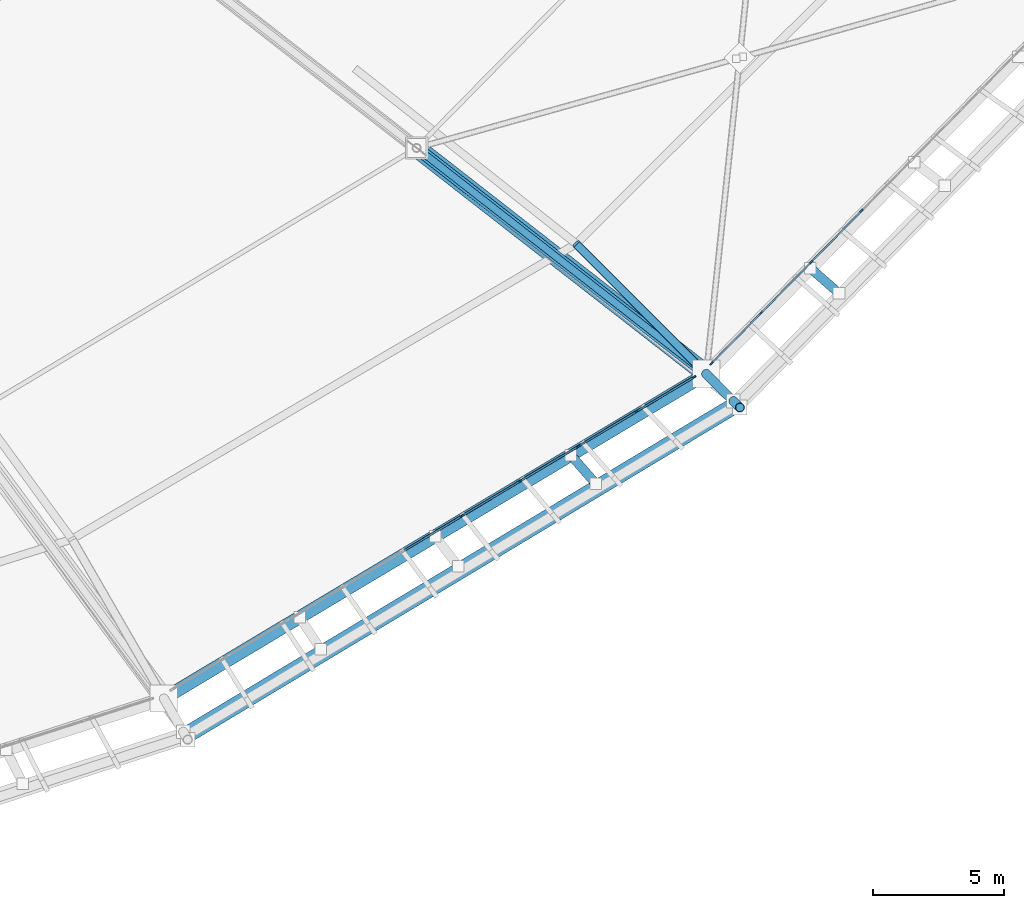
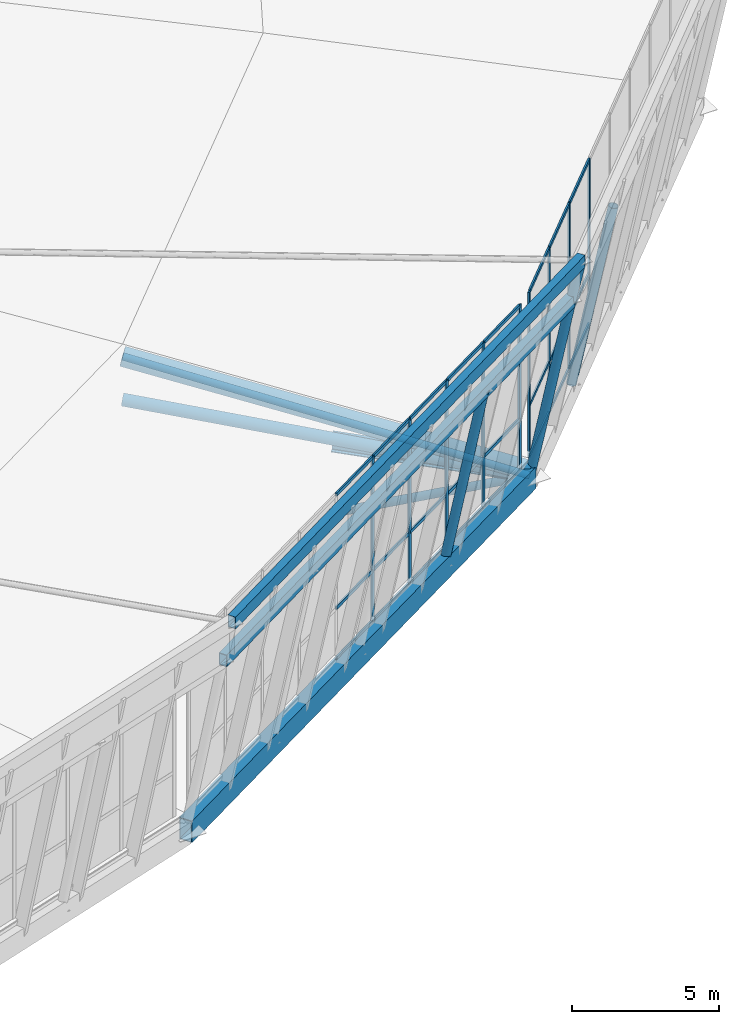
# One storey, part 39 of 115: 41 members, 4 beams, 2 elements without a shape of their own.
"""IFC4 building model written with IfcOpenShell, lengths in metres."""

from ifc_helpers import new_model, si_unit, direction, frame, origin, origin_2d, place, context, subcontext, project, spatial, rectangle, hollow_rectangle, hollow_circle, i_section, extrude, material, material_profile, profile_set, type_object, element, aggregate, save


model = new_model("IFC4")

# Units and contexts
model_context = context("Model", 3, precision=1e-05, world=origin(), true_north=direction((0.0, 1.0)))
body_context = subcontext(model_context, "Body", "Model", "MODEL_VIEW")
ifc_project = project(units=[si_unit("LENGTHUNIT", "METRE"), si_unit("AREAUNIT", "SQUARE_METRE"), si_unit("VOLUMEUNIT", "CUBIC_METRE"), si_unit("PLANEANGLEUNIT", "RADIAN"), si_unit("MASSUNIT", "GRAM", prefix="KILO")], contexts=[model_context])

# Site, building, storey
site_placement = place(None, origin())
site = spatial("IfcSite", under=ifc_project, at=site_placement, CompositionType="ELEMENT")
building_placement = place(site_placement, origin())
building = spatial("IfcBuilding", under=site, at=building_placement, Name="Zlatoyarsky Gate Stadium", CompositionType="ELEMENT")
storey_placement = place(building_placement, frame((0.0, 0.0, 31.800048828125)))
storey = spatial("IfcBuildingStorey", under=building, at=storey_placement, Name="RF", CompositionType="ELEMENT", Elevation=31.800048828125)

# Curtain wall, members
ifc_material_1 = material(Name="Thermally broken anodised aluminium curtain wall", Category="aluminium")
curtain_wall_type = type_object("IfcCurtainWallType", Name="UNITISED SKYBOX RING GLAZING L05", PredefinedType="USERDEFINED", material=ifc_material_1)
curtain_wall_1_placement = place(storey_placement, origin())
curtain_wall_1 = element("IfcCurtainWall", 1, at=curtain_wall_1_placement, inside=storey, type_object=curtain_wall_type, Name="Curtain wall CW-RF-20", ObjectType="UNITISED GLAZING", PredefinedType="USERDEFINED")
ifc_material_2 = material(Name="Anodised aluminium 6063-T6", Category="aluminium")
ifc_material_profile_1 = material_profile(ifc_material_2, rectangle(XDim=0.06494140625, YDim=0.159912109375, at=origin_2d()), Name="ALU 65X160")
ifc_profile_set_1 = profile_set([ifc_material_profile_1], Name="Anodised aluminium 6063-T6")
member_type_1 = type_object("IfcMemberType", Name="ALUMINIUM MULLION 65X160", PredefinedType="MULLION", material=ifc_profile_set_1)
member_1_placement = place(storey_placement, frame((172.398681640625, 19.401123046875, 0.0), z_axis=(0.0, 0.0, 1.0), x_axis=(-0.513435995817, 0.858127891517, 0.0)))
member_1 = element("IfcMember", 2, at=member_1_placement, type_object=member_type_1, Name="CW-UG5 mullion 6", PredefinedType="MULLION", context=body_context, shape_type="SweptSolid", body=[
    extrude(rectangle(XDim=0.06494140625, YDim=0.159912109375, at=origin_2d()), origin(), (0.0, 0.0, 1.0), 6.89990234375),
])
member_2_placement = place(storey_placement, frame((174.620849609375, 20.730712890625, 0.0), z_axis=(0.0, 0.0, 1.0), x_axis=(-0.513435995817, 0.858127891517, 0.0)))
member_2 = element("IfcMember", 3, at=member_2_placement, type_object=member_type_1, Name="CW-UG5 mullion 7", PredefinedType="MULLION", context=body_context, shape_type="SweptSolid", body=[
    extrude(rectangle(XDim=0.06494140625, YDim=0.159912109375, at=origin_2d()), origin(), (0.0, 0.0, 1.0), 6.89990234375),
])
member_3_placement = place(storey_placement, frame((176.84326171875, 22.060302734375, 0.0), z_axis=(0.0, 0.0, 1.0), x_axis=(-0.513435995817, 0.858127891517, 0.0)))
member_3 = element("IfcMember", 4, at=member_3_placement, type_object=member_type_1, Name="CW-UG5 mullion 8", PredefinedType="MULLION", context=body_context, shape_type="SweptSolid", body=[
    extrude(rectangle(XDim=0.06494140625, YDim=0.159912109375, at=origin_2d()), origin(), (0.0, 0.0, 1.0), 6.89990234375),
])
member_4_placement = place(storey_placement, frame((179.065673828125, 23.39013671875, 0.0), z_axis=(0.0, 0.0, 1.0), x_axis=(-0.513435995817, 0.858127891517, 0.0)))
member_4 = element("IfcMember", 5, at=member_4_placement, type_object=member_type_1, Name="CW-UG5 mullion 9", PredefinedType="MULLION", context=body_context, shape_type="SweptSolid", body=[
    extrude(rectangle(XDim=0.06494140625, YDim=0.159912109375, at=origin_2d()), origin(), (0.0, 0.0, 1.0), 6.89990234375),
])
member_5_placement = place(storey_placement, frame((181.260009765625, 24.703125, 0.0), z_axis=(0.0, 0.0, 1.0), x_axis=(-0.513435995817, 0.858127891517, 0.0)))
member_5 = element("IfcMember", 6, at=member_5_placement, type_object=member_type_1, Name="CW-UG5 mullion 10", PredefinedType="MULLION", context=body_context, shape_type="SweptSolid", body=[
    extrude(rectangle(XDim=0.06494140625, YDim=0.159912109375, at=origin_2d()), origin(), (0.0, 0.0, 1.0), 6.89990234375),
])

curtain_wall_2_placement = place(storey_placement, origin())
curtain_wall_2 = element("IfcCurtainWall", 7, at=curtain_wall_2_placement, inside=storey, type_object=curtain_wall_type, Name="Curtain wall CW-RF-21", ObjectType="UNITISED GLAZING", PredefinedType="USERDEFINED")
member_6_placement = place(storey_placement, frame((181.9345703125, 25.2333984375, 0.0), z_axis=(0.0, 0.0, 1.0), x_axis=(-0.712766053473, 0.701401848456, 0.0)))
member_6 = element("IfcMember", 8, at=member_6_placement, type_object=member_type_1, Name="CW-UG5 mullion 1", PredefinedType="MULLION", context=body_context, shape_type="SweptSolid", body=[
    extrude(rectangle(XDim=0.06494140625, YDim=0.159912109375, at=origin_2d()), origin(), (0.0, 0.0, 1.0), 6.89990234375),
])
member_7_placement = place(storey_placement, frame((183.825927734375, 27.1552734375, 0.0), z_axis=(0.0, 0.0, 1.0), x_axis=(-0.712766053473, 0.701401848456, 0.0)))
member_7 = element("IfcMember", 9, at=member_7_placement, type_object=member_type_1, Name="CW-UG5 mullion 2", PredefinedType="MULLION", context=body_context, shape_type="SweptSolid", body=[
    extrude(rectangle(XDim=0.06494140625, YDim=0.159912109375, at=origin_2d()), origin(), (0.0, 0.0, 1.0), 6.89990234375),
])
member_8_placement = place(storey_placement, frame((185.739990234375, 29.100341796875, 0.0), z_axis=(0.0, 0.0, 1.0), x_axis=(-0.712766053473, 0.701401848456, 0.0)))
member_8 = element("IfcMember", 10, at=member_8_placement, type_object=member_type_1, Name="CW-UG5 mullion 3", PredefinedType="MULLION", context=body_context, shape_type="SweptSolid", body=[
    extrude(rectangle(XDim=0.06494140625, YDim=0.159912109375, at=origin_2d()), origin(), (0.0, 0.0, 1.0), 6.89990234375),
])
member_9_placement = place(storey_placement, frame((187.654052734375, 31.045654296875, 0.0), z_axis=(0.0, 0.0, 1.0), x_axis=(-0.712766053473, 0.701401848456, 0.0)))
member_9 = element("IfcMember", 11, at=member_9_placement, type_object=member_type_1, Name="CW-UG5 mullion 4", PredefinedType="MULLION", context=body_context, shape_type="SweptSolid", body=[
    extrude(rectangle(XDim=0.06494140625, YDim=0.159912109375, at=origin_2d()), origin(), (0.0, 0.0, 1.0), 6.89990234375),
])

# Member
ifc_material_profile_2 = material_profile(ifc_material_2, rectangle(XDim=0.06494140625, YDim=0.139892578125, at=origin_2d()), Name="ALU 65X140")
ifc_profile_set_2 = profile_set([ifc_material_profile_2], Name="Anodised aluminium 6063-T6")
member_type_2 = type_object("IfcMemberType", Name="ALUMINIUM TRANSOM 65X140", PredefinedType="USERDEFINED", material=ifc_profile_set_2)
member_10_placement = place(storey_placement, frame((170.204345703125, 18.088134765625, 0.032470703125), z_axis=(0.858149243312, 0.51340030795, 0.0), x_axis=(-0.51340030795, 0.858149243312, 0.0)))
member_10 = element("IfcMember", 12, at=member_10_placement, type_object=member_type_2, Name="CW-UG5 transom 5.1", ObjectType="TRANSOM", PredefinedType="USERDEFINED", context=body_context, shape_type="SweptSolid", body=[
    extrude(rectangle(XDim=0.06494140625, YDim=0.139892578125, at=origin_2d()), origin(), (0.0, 0.0, 1.0), 2.524658203125),
])

member_11_placement = place(storey_placement, frame((170.204345703125, 18.088134765625, 2.14990234375), z_axis=(0.858149243312, 0.51340030795, 0.0), x_axis=(-0.51340030795, 0.858149243312, 0.0)))
member_11 = element("IfcMember", 13, at=member_11_placement, type_object=member_type_2, Name="CW-UG5 transom 5.2", ObjectType="TRANSOM", PredefinedType="USERDEFINED", context=body_context, shape_type="SweptSolid", body=[
    extrude(rectangle(XDim=0.06494140625, YDim=0.139892578125, at=origin_2d()), origin(), (0.0, 0.0, 1.0), 2.524658203125),
])

member_12_placement = place(storey_placement, frame((170.204345703125, 18.088134765625, 6.867431640625), z_axis=(0.858149243312, 0.51340030795, 0.0), x_axis=(-0.51340030795, 0.858149243312, 0.0)))
member_12 = element("IfcMember", 14, at=member_12_placement, type_object=member_type_2, Name="CW-UG5 transom 5.3", ObjectType="TRANSOM", PredefinedType="USERDEFINED", context=body_context, shape_type="SweptSolid", body=[
    extrude(rectangle(XDim=0.06494140625, YDim=0.139892578125, at=origin_2d()), origin(), (0.0, 0.0, 1.0), 2.524658203125),
])

member_13_placement = place(storey_placement, frame((172.426513671875, 19.417724609375, 0.032470703125), z_axis=(0.858106637298, 0.513471517248, 0.0), x_axis=(-0.513471517248, 0.858106637298, 0.0)))
member_13 = element("IfcMember", 15, at=member_13_placement, type_object=member_type_2, Name="CW-UG5 transom 6.1", ObjectType="TRANSOM", PredefinedType="USERDEFINED", context=body_context, shape_type="SweptSolid", body=[
    extrude(rectangle(XDim=0.06494140625, YDim=0.139892578125, at=origin_2d()), origin(), (0.0, 0.0, 1.0), 2.524658203125),
])

member_14_placement = place(storey_placement, frame((172.426513671875, 19.417724609375, 2.14990234375), z_axis=(0.858106637298, 0.513471517248, 0.0), x_axis=(-0.513471517248, 0.858106637298, 0.0)))
member_14 = element("IfcMember", 16, at=member_14_placement, type_object=member_type_2, Name="CW-UG5 transom 6.2", ObjectType="TRANSOM", PredefinedType="USERDEFINED", context=body_context, shape_type="SweptSolid", body=[
    extrude(rectangle(XDim=0.06494140625, YDim=0.139892578125, at=origin_2d()), origin(), (0.0, 0.0, 1.0), 2.524658203125),
])

member_15_placement = place(storey_placement, frame((172.426513671875, 19.417724609375, 6.867431640625), z_axis=(0.858106637298, 0.513471517248, 0.0), x_axis=(-0.513471517248, 0.858106637298, 0.0)))
member_15 = element("IfcMember", 17, at=member_15_placement, type_object=member_type_2, Name="CW-UG5 transom 6.3", ObjectType="TRANSOM", PredefinedType="USERDEFINED", context=body_context, shape_type="SweptSolid", body=[
    extrude(rectangle(XDim=0.06494140625, YDim=0.139892578125, at=origin_2d()), origin(), (0.0, 0.0, 1.0), 2.524658203125),
])

member_16_placement = place(storey_placement, frame((174.64892578125, 20.747314453125, 0.032470703125), z_axis=(0.858106637298, 0.513471517248, 0.0), x_axis=(-0.513471517248, 0.858106637298, 0.0)))
member_16 = element("IfcMember", 18, at=member_16_placement, type_object=member_type_2, Name="CW-UG5 transom 7.1", ObjectType="TRANSOM", PredefinedType="USERDEFINED", context=body_context, shape_type="SweptSolid", body=[
    extrude(rectangle(XDim=0.06494140625, YDim=0.139892578125, at=origin_2d()), origin(), (0.0, 0.0, 1.0), 2.524658203125),
])

member_17_placement = place(storey_placement, frame((174.64892578125, 20.747314453125, 2.14990234375), z_axis=(0.858106637298, 0.513471517248, 0.0), x_axis=(-0.513471517248, 0.858106637298, 0.0)))
member_17 = element("IfcMember", 19, at=member_17_placement, type_object=member_type_2, Name="CW-UG5 transom 7.2", ObjectType="TRANSOM", PredefinedType="USERDEFINED", context=body_context, shape_type="SweptSolid", body=[
    extrude(rectangle(XDim=0.06494140625, YDim=0.139892578125, at=origin_2d()), origin(), (0.0, 0.0, 1.0), 2.524658203125),
])

member_18_placement = place(storey_placement, frame((174.64892578125, 20.747314453125, 6.867431640625), z_axis=(0.858106637298, 0.513471517248, 0.0), x_axis=(-0.513471517248, 0.858106637298, 0.0)))
member_18 = element("IfcMember", 20, at=member_18_placement, type_object=member_type_2, Name="CW-UG5 transom 7.3", ObjectType="TRANSOM", PredefinedType="USERDEFINED", context=body_context, shape_type="SweptSolid", body=[
    extrude(rectangle(XDim=0.06494140625, YDim=0.139892578125, at=origin_2d()), origin(), (0.0, 0.0, 1.0), 2.524658203125),
])

member_19_placement = place(storey_placement, frame((176.87109375, 22.0771484375, 0.032470703125), z_axis=(0.858149243312, 0.51340030795, 0.0), x_axis=(-0.51340030795, 0.858149243312, 0.0)))
member_19 = element("IfcMember", 21, at=member_19_placement, type_object=member_type_2, Name="CW-UG5 transom 8.1", ObjectType="TRANSOM", PredefinedType="USERDEFINED", context=body_context, shape_type="SweptSolid", body=[
    extrude(rectangle(XDim=0.06494140625, YDim=0.139892578125, at=origin_2d()), origin(), (0.0, 0.0, 1.0), 2.524658203125),
])

member_20_placement = place(storey_placement, frame((176.87109375, 22.0771484375, 2.14990234375), z_axis=(0.858149243312, 0.51340030795, 0.0), x_axis=(-0.51340030795, 0.858149243312, 0.0)))
member_20 = element("IfcMember", 22, at=member_20_placement, type_object=member_type_2, Name="CW-UG5 transom 8.2", ObjectType="TRANSOM", PredefinedType="USERDEFINED", context=body_context, shape_type="SweptSolid", body=[
    extrude(rectangle(XDim=0.06494140625, YDim=0.139892578125, at=origin_2d()), origin(), (0.0, 0.0, 1.0), 2.524658203125),
])

member_21_placement = place(storey_placement, frame((176.87109375, 22.0771484375, 6.867431640625), z_axis=(0.858149243312, 0.51340030795, 0.0), x_axis=(-0.51340030795, 0.858149243312, 0.0)))
member_21 = element("IfcMember", 23, at=member_21_placement, type_object=member_type_2, Name="CW-UG5 transom 8.3", ObjectType="TRANSOM", PredefinedType="USERDEFINED", context=body_context, shape_type="SweptSolid", body=[
    extrude(rectangle(XDim=0.06494140625, YDim=0.139892578125, at=origin_2d()), origin(), (0.0, 0.0, 1.0), 2.524658203125),
])

member_22_placement = place(storey_placement, frame((179.093505859375, 23.40673828125, 0.032470703125), z_axis=(0.858140517971, 0.513414892087, 0.0), x_axis=(-0.513414892087, 0.858140517971, 0.0)))
member_22 = element("IfcMember", 24, at=member_22_placement, type_object=member_type_2, Name="CW-UG5 transom 9.1", ObjectType="TRANSOM", PredefinedType="USERDEFINED", context=body_context, shape_type="SweptSolid", body=[
    extrude(rectangle(XDim=0.06494140625, YDim=0.139892578125, at=origin_2d()), origin(), (0.0, 0.0, 1.0), 2.4921875),
])

member_23_placement = place(storey_placement, frame((179.093505859375, 23.40673828125, 2.14990234375), z_axis=(0.858140517971, 0.513414892087, 0.0), x_axis=(-0.513414892087, 0.858140517971, 0.0)))
member_23 = element("IfcMember", 25, at=member_23_placement, type_object=member_type_2, Name="CW-UG5 transom 9.2", ObjectType="TRANSOM", PredefinedType="USERDEFINED", context=body_context, shape_type="SweptSolid", body=[
    extrude(rectangle(XDim=0.06494140625, YDim=0.139892578125, at=origin_2d()), origin(), (0.0, 0.0, 1.0), 2.4921875),
])

member_24_placement = place(storey_placement, frame((179.093505859375, 23.40673828125, 6.867431640625), z_axis=(0.858140517971, 0.513414892087, 0.0), x_axis=(-0.513414892087, 0.858140517971, 0.0)))
member_24 = element("IfcMember", 26, at=member_24_placement, type_object=member_type_2, Name="CW-UG5 transom 9.3", ObjectType="TRANSOM", PredefinedType="USERDEFINED", context=body_context, shape_type="SweptSolid", body=[
    extrude(rectangle(XDim=0.06494140625, YDim=0.139892578125, at=origin_2d()), origin(), (0.0, 0.0, 1.0), 2.4921875),
])

aggregate(curtain_wall_1, [member_1, member_2, member_3, member_4, member_5, member_10, member_11, member_12, member_13, member_14, member_15, member_16, member_17, member_18, member_19, member_20, member_21, member_22, member_23, member_24])

member_25_placement = place(storey_placement, frame((181.957275390625, 25.256591796875, 0.032470703125), z_axis=(0.701471617556, 0.712697390036, 0.0), x_axis=(-0.712697390036, 0.701471617556, 0.0)))
member_25 = element("IfcMember", 27, at=member_25_placement, type_object=member_type_2, Name="CW-UG5 transom 1.1", ObjectType="TRANSOM", PredefinedType="USERDEFINED", context=body_context, shape_type="SweptSolid", body=[
    extrude(rectangle(XDim=0.06494140625, YDim=0.139892578125, at=origin_2d()), origin(), (0.0, 0.0, 1.0), 2.631591796875),
])

member_26_placement = place(storey_placement, frame((181.957275390625, 25.256591796875, 2.14990234375), z_axis=(0.701471617556, 0.712697390036, 0.0), x_axis=(-0.712697390036, 0.701471617556, 0.0)))
member_26 = element("IfcMember", 28, at=member_26_placement, type_object=member_type_2, Name="CW-UG5 transom 1.2", ObjectType="TRANSOM", PredefinedType="USERDEFINED", context=body_context, shape_type="SweptSolid", body=[
    extrude(rectangle(XDim=0.06494140625, YDim=0.139892578125, at=origin_2d()), origin(), (0.0, 0.0, 1.0), 2.631591796875),
])

member_27_placement = place(storey_placement, frame((181.957275390625, 25.256591796875, 6.867431640625), z_axis=(0.701471617556, 0.712697390036, 0.0), x_axis=(-0.712697390036, 0.701471617556, 0.0)))
member_27 = element("IfcMember", 29, at=member_27_placement, type_object=member_type_2, Name="CW-UG5 transom 1.3", ObjectType="TRANSOM", PredefinedType="USERDEFINED", context=body_context, shape_type="SweptSolid", body=[
    extrude(rectangle(XDim=0.06494140625, YDim=0.139892578125, at=origin_2d()), origin(), (0.0, 0.0, 1.0), 2.631591796875),
])

member_28_placement = place(storey_placement, frame((183.8486328125, 27.178466796875, 0.032470703125), z_axis=(0.701448172626, 0.712720464922, 0.0), x_axis=(-0.712720464922, 0.701448172626, 0.0)))
member_28 = element("IfcMember", 30, at=member_28_placement, type_object=member_type_2, Name="CW-UG5 transom 2.1", ObjectType="TRANSOM", PredefinedType="USERDEFINED", context=body_context, shape_type="SweptSolid", body=[
    extrude(rectangle(XDim=0.06494140625, YDim=0.139892578125, at=origin_2d()), origin(), (0.0, 0.0, 1.0), 2.6640625),
])

member_29_placement = place(storey_placement, frame((183.8486328125, 27.178466796875, 2.14990234375), z_axis=(0.701448172626, 0.712720464922, 0.0), x_axis=(-0.712720464922, 0.701448172626, 0.0)))
member_29 = element("IfcMember", 31, at=member_29_placement, type_object=member_type_2, Name="CW-UG5 transom 2.2", ObjectType="TRANSOM", PredefinedType="USERDEFINED", context=body_context, shape_type="SweptSolid", body=[
    extrude(rectangle(XDim=0.06494140625, YDim=0.139892578125, at=origin_2d()), origin(), (0.0, 0.0, 1.0), 2.6640625),
])

member_30_placement = place(storey_placement, frame((183.8486328125, 27.178466796875, 6.867431640625), z_axis=(0.701448172626, 0.712720464922, 0.0), x_axis=(-0.712720464922, 0.701448172626, 0.0)))
member_30 = element("IfcMember", 32, at=member_30_placement, type_object=member_type_2, Name="CW-UG5 transom 2.3", ObjectType="TRANSOM", PredefinedType="USERDEFINED", context=body_context, shape_type="SweptSolid", body=[
    extrude(rectangle(XDim=0.06494140625, YDim=0.139892578125, at=origin_2d()), origin(), (0.0, 0.0, 1.0), 2.6640625),
])

member_31_placement = place(storey_placement, frame((185.7626953125, 29.12353515625, 0.032470703125), z_axis=(0.701402357666, 0.712765552381, 0.0), x_axis=(-0.712765552381, 0.701402357666, 0.0)))
member_31 = element("IfcMember", 33, at=member_31_placement, type_object=member_type_2, Name="CW-UG5 transom 3.1", ObjectType="TRANSOM", PredefinedType="USERDEFINED", context=body_context, shape_type="SweptSolid", body=[
    extrude(rectangle(XDim=0.06494140625, YDim=0.139892578125, at=origin_2d()), origin(), (0.0, 0.0, 1.0), 2.6640625),
])

member_32_placement = place(storey_placement, frame((185.7626953125, 29.12353515625, 2.14990234375), z_axis=(0.701402357666, 0.712765552381, 0.0), x_axis=(-0.712765552381, 0.701402357666, 0.0)))
member_32 = element("IfcMember", 34, at=member_32_placement, type_object=member_type_2, Name="CW-UG5 transom 3.2", ObjectType="TRANSOM", PredefinedType="USERDEFINED", context=body_context, shape_type="SweptSolid", body=[
    extrude(rectangle(XDim=0.06494140625, YDim=0.139892578125, at=origin_2d()), origin(), (0.0, 0.0, 1.0), 2.6640625),
])

member_33_placement = place(storey_placement, frame((185.7626953125, 29.12353515625, 6.867431640625), z_axis=(0.701402357666, 0.712765552381, 0.0), x_axis=(-0.712765552381, 0.701402357666, 0.0)))
member_33 = element("IfcMember", 35, at=member_33_placement, type_object=member_type_2, Name="CW-UG5 transom 3.3", ObjectType="TRANSOM", PredefinedType="USERDEFINED", context=body_context, shape_type="SweptSolid", body=[
    extrude(rectangle(XDim=0.06494140625, YDim=0.139892578125, at=origin_2d()), origin(), (0.0, 0.0, 1.0), 2.6640625),
])

aggregate(curtain_wall_2, [member_6, member_7, member_8, member_9, member_25, member_26, member_27, member_28, member_29, member_30, member_31, member_32, member_33])

# Members
ifc_material_3 = material(Name="Steel S355", Category="steel")
ifc_material_profile_3 = material_profile(ifc_material_3, hollow_circle(Radius=0.228515625, WallThickness=0.02490234375, at=origin_2d()), Name="CHS 457X25")
ifc_profile_set_3 = profile_set([ifc_material_profile_3], Name="Steel S355")
member_type_3 = type_object("IfcMemberType", Name="STEEL ARCH BOTTOM CHORD CHS 457X25", PredefinedType="CHORD", material=ifc_profile_set_3)
member_34_placement = place(storey_placement, frame((181.730224609375, 24.826171875, -0.449951171875), z_axis=(-0.782072913981, 0.610058642375, 0.127241542272), x_axis=(-0.61505798075, -0.788481883315, 0.0)))
element("IfcMember", 36, at=member_34_placement, inside=storey, type_object=member_type_3, Name="Radial truss R22 bottom chord 1", PredefinedType="CHORD", context=body_context, shape_type="SweptSolid", body=[
    extrude(hollow_circle(Radius=0.228515625, WallThickness=0.02490234375, at=origin_2d()), origin(), (0.0, 0.0, 1.0), 14.144775390625),
])
ifc_material_profile_4 = material_profile(ifc_material_3, hollow_circle(Radius=0.35546875, WallThickness=0.031982421875, at=origin_2d()), Name="CHS 711X32")
ifc_profile_set_4 = profile_set([ifc_material_profile_4], Name="Steel S355")
member_type_4 = type_object("IfcMemberType", Name="STEEL ARCH TOP CHORD CHS 711X32", PredefinedType="CHORD", material=ifc_profile_set_4)
member_35_placement = place(storey_placement, frame((181.730224609375, 24.826171875, -0.25), z_axis=(-0.76630202169, 0.597756504086, 0.235517246453), x_axis=(-0.61505798075, -0.788481883315, 0.0)))
element("IfcMember", 37, at=member_35_placement, inside=storey, type_object=member_type_4, Name="Radial truss R22 top chord 1", PredefinedType="CHORD", context=body_context, shape_type="SweptSolid", body=[
    extrude(hollow_circle(Radius=0.35546875, WallThickness=0.031982421875, at=origin_2d()), origin(), (0.0, 0.0, 1.0), 14.435791015625),
])
ifc_material_profile_5 = material_profile(ifc_material_3, hollow_circle(Radius=0.177734375, WallThickness=0.02001953125, at=origin_2d()), Name="CHS 355.6X20")
ifc_profile_set_5 = profile_set([ifc_material_profile_5], Name="Steel S355")
member_type_5 = type_object("IfcMemberType", Name="STEEL LEANING RIB RING STRUT CHS 355.6X20", PredefinedType="STRUT", material=ifc_profile_set_5)
member_36_placement = place(storey_placement, frame((176.551025390625, 21.72607421875, -0.449951171875), z_axis=(0.124302075226, -0.141653887757, 0.982081040535), x_axis=(0.751642626138, 0.659570589529, 0.0)))
element("IfcMember", 38, at=member_36_placement, inside=storey, type_object=member_type_5, Name="Outward-leaning bowl louvre fin rib RF 20-3", PredefinedType="STRUT", context=body_context, shape_type="SweptSolid", body=[
    extrude(hollow_circle(Radius=0.177734375, WallThickness=0.02001953125, at=origin_2d()), origin(), (0.0, 0.0, 1.0), 7.738525390625),
])
member_37_placement = place(storey_placement, frame((181.730224609375, 24.826171875, -0.449951171875), z_axis=(0.134083158373, -0.134083158373, 0.981857124678), x_axis=(0.707106781187, 0.707106781187, 0.0)))
element("IfcMember", 39, at=member_37_placement, inside=storey, type_object=member_type_5, Name="Outward-leaning crown fascia lower post 21", PredefinedType="STRUT", context=body_context, shape_type="SweptSolid", body=[
    extrude(hollow_circle(Radius=0.177734375, WallThickness=0.02001953125, at=origin_2d()), origin(), (0.0, 0.0, 1.0), 7.740234375),
])
member_38_placement = place(storey_placement, frame((182.76806640625, 23.788330078125, 7.14990234375), z_axis=(0.142090707593, -0.142231391462, 0.979581779178), x_axis=(0.707456574237, 0.706756815014, 0.0)))
element("IfcMember", 40, at=member_38_placement, inside=storey, type_object=member_type_5, Name="Outward-leaning crown fascia upper post 21", PredefinedType="STRUT", context=body_context, shape_type="SweptSolid", body=[
    extrude(hollow_circle(Radius=0.177734375, WallThickness=0.02001953125, at=origin_2d()), origin(), (0.0, 0.0, 1.0), 1.7353515625),
])
member_39_placement = place(storey_placement, frame((185.704345703125, 28.8662109375, -0.449951171875), z_axis=(0.141622971852, -0.124302630674, 0.982085428999), x_axis=(0.65965358824, 0.751569786195, 0.0)))
element("IfcMember", 41, at=member_39_placement, inside=storey, type_object=member_type_5, Name="Outward-leaning bowl louvre fin rib RF 21-1", PredefinedType="STRUT", context=body_context, shape_type="SweptSolid", body=[
    extrude(hollow_circle(Radius=0.177734375, WallThickness=0.02001953125, at=origin_2d()), origin(), (0.0, 0.0, 1.0), 7.738525390625),
])

# Beams
ifc_material_profile_6 = material_profile(ifc_material_3, hollow_rectangle(XDim=0.300048828125, YDim=0.5, WallThickness=0.02001953125, at=origin_2d()), Name="RHS 500X300X20")
ifc_profile_set_6 = profile_set([ifc_material_profile_6], Name="Steel S355")
beam_type_1 = type_object("IfcBeamType", Name="STEEL LOUVRE CARRIER SPANDREL RHS 500X300X20", PredefinedType="SPANDREL", material=ifc_profile_set_6)
beam_1_placement = place(storey_placement, frame((161.747802734375, 11.155029296875, 7.14990234375), z_axis=(0.857112353268, 0.51512951175, 0.0), x_axis=(-0.51512951175, 0.857112353268, 0.0)))
element("IfcBeam", 42, at=beam_1_placement, inside=storey, type_object=beam_type_1, Name="Crown eaves fascia bottom carrier spandrel 20", PredefinedType="SPANDREL", context=body_context, shape_type="SweptSolid", body=[
    extrude(hollow_rectangle(XDim=0.300048828125, YDim=0.5, WallThickness=0.02001953125, at=origin_2d()), origin(), (0.0, 0.0, 1.0), 24.5244140625),
])
beam_2_placement = place(storey_placement, frame((161.922119140625, 10.852783203125, 8.849853515625), z_axis=(0.856897250125, 0.515487247882, 0.0), x_axis=(-0.515487247882, 0.856897250125, 0.0)))
element("IfcBeam", 43, at=beam_2_placement, inside=storey, type_object=beam_type_1, Name="Crown fascia top carrier spandrel 20", PredefinedType="SPANDREL", context=body_context, shape_type="SweptSolid", body=[
    extrude(hollow_rectangle(XDim=0.300048828125, YDim=0.5, WallThickness=0.02001953125, at=origin_2d()), origin(), (0.0, 0.0, 1.0), 24.614990234375),
])
ifc_material_profile_7 = material_profile(ifc_material_3, hollow_rectangle(XDim=0.5, YDim=0.89990234375, WallThickness=0.028076171875, at=origin_2d()), Name="RHS 900X500X28")
ifc_profile_set_7 = profile_set([ifc_material_profile_7], Name="Steel S355")
beam_type_2 = type_object("IfcBeamType", Name="STEEL OUTER COMPRESSION RING BEAM RHS 900X500X28", PredefinedType="USERDEFINED", material=ifc_profile_set_7)
beam_3_placement = place(storey_placement, frame((161.013916015625, 12.426025390625, -0.449951171875), z_axis=(0.85803403139, 0.513592835792, 0.0), x_axis=(-0.513592835792, 0.85803403139, 0.0)))
element("IfcBeam", 44, at=beam_3_placement, inside=storey, type_object=beam_type_2, Name="Outer compression ring beam 20", ObjectType="RING BEAM", PredefinedType="USERDEFINED", context=body_context, shape_type="SweptSolid", body=[
    extrude(hollow_rectangle(XDim=0.5, YDim=0.89990234375, WallThickness=0.028076171875, at=origin_2d()), origin(), (0.0, 0.0, 1.0), 24.14404296875),
])
ifc_material_profile_8 = material_profile(ifc_material_3, i_section(OverallWidth=0.300048828125, OverallDepth=0.699951171875, WebThickness=0.01708984375, FlangeThickness=0.031982421875, FilletRadius=0.027099609375, at=origin_2d()), Name="HEB 700")
ifc_profile_set_8 = profile_set([ifc_material_profile_8], Name="Steel S355")
beam_type_3 = type_object("IfcBeamType", Name="STEEL ROOF RING GIRDER HEB 700", PredefinedType="BEAM", material=ifc_profile_set_8)
beam_4_placement = place(storey_placement, frame((176.789306640625, 29.76708984375, -0.300048828125), z_axis=(0.707106781187, -0.707106781187, 0.0), x_axis=(0.707106781187, 0.707106781187, 0.0)))
element("IfcBeam", 45, at=beam_4_placement, inside=storey, type_object=beam_type_3, Name="RF roof tie girder BM-RF-COUT-21", PredefinedType="BEAM", context=body_context, shape_type="SweptSolid", body=[
    extrude(i_section(OverallWidth=0.300048828125, OverallDepth=0.699951171875, WebThickness=0.01708984375, FlangeThickness=0.031982421875, FilletRadius=0.027099609375, at=origin_2d()), origin(), (0.0, 0.0, 1.0), 6.987548828125),
])

# Members
ifc_material_profile_9 = material_profile(ifc_material_3, hollow_circle(Radius=0.136474609375, WallThickness=0.01611328125, at=origin_2d()), Name="CHS 273X16")
ifc_profile_set_9 = profile_set([ifc_material_profile_9], Name="Steel S355")
member_type_6 = type_object("IfcMemberType", Name="STEEL ROOF TRUSS DIAGONAL CHS 273X16", PredefinedType="BRACE", material=ifc_profile_set_9)
member_40_placement = place(storey_placement, frame((181.730224609375, 24.826171875, -0.449951171875), z_axis=(-0.76374161775, 0.595759252265, 0.248535016965), x_axis=(-0.61505798075, -0.788481883315, 0.0)))
element("IfcMember", 46, at=member_40_placement, inside=storey, type_object=member_type_6, Name="Radial truss R22 web diagonal 1", PredefinedType="BRACE", context=body_context, shape_type="SweptSolid", body=[
    extrude(hollow_circle(Radius=0.136474609375, WallThickness=0.01611328125, at=origin_2d()), origin(), (0.0, 0.0, 1.0), 14.484375),
])
ifc_material_profile_10 = material_profile(ifc_material_3, hollow_circle(Radius=0.161865234375, WallThickness=0.01611328125, at=origin_2d()), Name="CHS 323.9X16")
ifc_profile_set_10 = profile_set([ifc_material_profile_10], Name="Steel S355")
member_type_7 = type_object("IfcMemberType", Name="STEEL TRUSS WEB STRUT CHS 323.9X16", PredefinedType="STRUT", material=ifc_profile_set_10)
member_41_placement = place(storey_placement, frame((176.760986328125, 29.79541015625, -3.300048828125), z_axis=(0.655268385367, -0.655268385367, 0.375828000922), x_axis=(0.707106781187, 0.707106781187, 0.0)))
element("IfcMember", 47, at=member_41_placement, inside=storey, type_object=member_type_7, Name="Arch heel prop 21", PredefinedType="STRUT", context=body_context, shape_type="SweptSolid", body=[
    extrude(hollow_circle(Radius=0.161865234375, WallThickness=0.01611328125, at=origin_2d()), origin(), (0.0, 0.0, 1.0), 7.58349609375),
])

save(model, "model.ifc")
